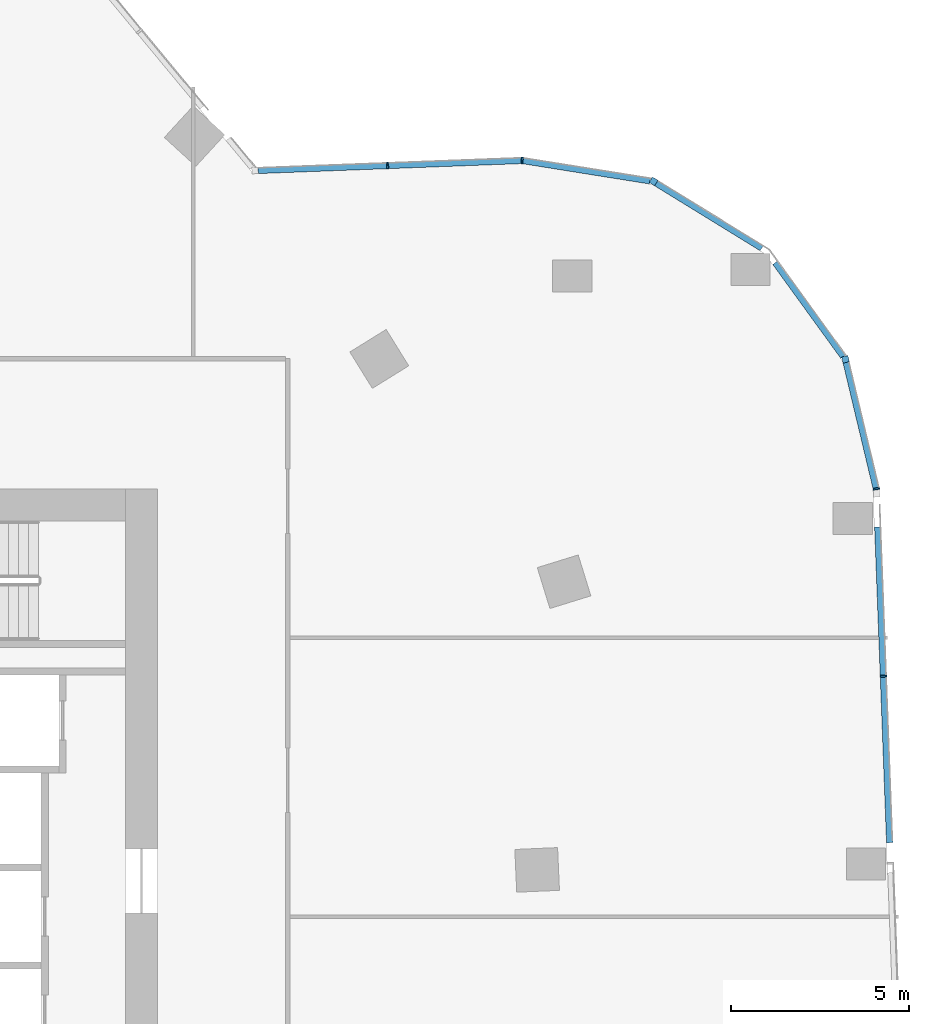
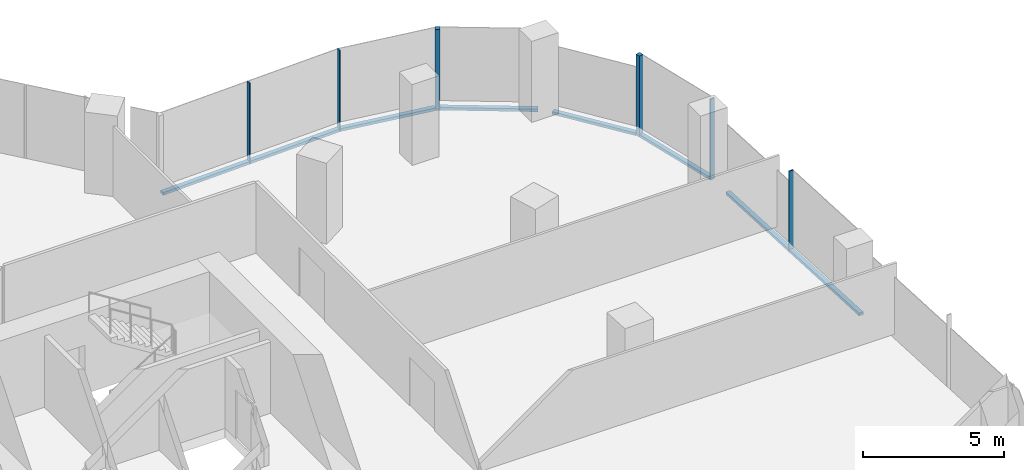
# One storey, part 12 of 23: 12 members, 6 elements without a shape of their own.
"""IFC4 building model written with IfcOpenShell, lengths in metres."""

from ifc_helpers import new_model, si_unit, direction, frame, origin, origin_2d, place, context, subcontext, project, spatial, rectangle, extrude, material, material_profile, profile_set, type_object, element, aggregate, save


model = new_model("IFC4")

# Units and contexts
model_context = context("Model", 3, precision=1e-05, world=origin(), true_north=direction((0.0, 1.0)))
body_context = subcontext(model_context, "Body", "Model", "MODEL_VIEW")
ifc_project = project(units=[si_unit("LENGTHUNIT", "METRE"), si_unit("AREAUNIT", "SQUARE_METRE"), si_unit("VOLUMEUNIT", "CUBIC_METRE"), si_unit("PLANEANGLEUNIT", "RADIAN"), si_unit("MASSUNIT", "GRAM", prefix="KILO")], contexts=[model_context])

# Site, building, storey
site_placement = place(None, origin())
site = spatial("IfcSite", under=ifc_project, at=site_placement, CompositionType="ELEMENT")
building_placement = place(site_placement, origin())
building = spatial("IfcBuilding", under=site, at=building_placement, Name="Orlundy Tower", CompositionType="ELEMENT")
storey_placement = place(building_placement, frame((0.0, 0.0, 181.10009765625)))
storey = spatial("IfcBuildingStorey", under=building, at=storey_placement, Name="L47", CompositionType="ELEMENT", Elevation=181.10009765625)

# Curtain wall, member
ifc_material_1 = material(Name="Aluminium bronze anodised", Category="aluminium")
curtain_wall_type = type_object("IfcCurtainWallType", Name="CW1 wall", PredefinedType="NOTDEFINED", material=ifc_material_1)
curtain_wall_1_placement = place(storey_placement, origin())
curtain_wall_1 = element("IfcCurtainWall", 1, at=curtain_wall_1_placement, inside=storey, type_object=curtain_wall_type, Name="CW1 run 08", PredefinedType="NOTDEFINED")
ifc_material_2 = material(Name="Aluminium bronze anodised", Category="aluminium")
ifc_material_profile_1 = material_profile(ifc_material_2, rectangle(XDim=0.179931640625, YDim=0.179931640625, at=origin_2d()), Name="CW1 corner post 180x180")
ifc_profile_set_1 = profile_set([ifc_material_profile_1], Name="Aluminium bronze anodised")
member_type_1 = type_object("IfcMemberType", Name="CW1 corner post 180x180", PredefinedType="MULLION", material=ifc_profile_set_1)
member_1_placement = place(storey_placement, frame((32.914794921875, 20.62109375, -0.420166015625), z_axis=(0.0, 0.0, 1.0), x_axis=(0.523946886645, 0.85175093776, 0.0)))
member_1 = element("IfcMember", 2, at=member_1_placement, type_object=member_type_1, Name="CW1 mullion 29", PredefinedType="MULLION", context=body_context, shape_type="SweptSolid", body=[
    extrude(rectangle(XDim=0.179931640625, YDim=0.179931640625, at=origin_2d()), origin(), (0.0, 0.0, 1.0), 3.5),
])

curtain_wall_2_placement = place(storey_placement, origin())
curtain_wall_2 = element("IfcCurtainWall", 3, at=curtain_wall_2_placement, inside=storey, type_object=curtain_wall_type, Name="CW1 run 010", PredefinedType="NOTDEFINED")
member_2_placement = place(storey_placement, frame((38.29833984375, 15.62939453125, -0.420166015625), z_axis=(0.0, 0.0, 1.0), x_axis=(0.972704793959, 0.23204608122, 0.0)))
member_2 = element("IfcMember", 4, at=member_2_placement, type_object=member_type_1, Name="CW1 mullion 31", PredefinedType="MULLION", context=body_context, shape_type="SweptSolid", body=[
    extrude(rectangle(XDim=0.179931640625, YDim=0.179931640625, at=origin_2d()), origin(), (0.0, 0.0, 1.0), 3.5),
])

curtain_wall_3_placement = place(storey_placement, origin())
curtain_wall_3 = element("IfcCurtainWall", 5, at=curtain_wall_3_placement, inside=storey, type_object=curtain_wall_type, Name="CW1 run 06", PredefinedType="NOTDEFINED")
ifc_material_3 = material(Name="Aluminium bronze anodised", Category="aluminium")
ifc_material_profile_2 = material_profile(ifc_material_3, rectangle(XDim=0.179931640625, YDim=0.050048828125, at=origin_2d()), Name="CW1 mullion 50x180")
ifc_profile_set_2 = profile_set([ifc_material_profile_2], Name="Aluminium bronze anodised")
member_type_2 = type_object("IfcMemberType", Name="CW1 mullion 50x180", PredefinedType="MULLION", material=ifc_profile_set_2)
member_3_placement = place(storey_placement, frame((25.455078125, 21.0673828125, -0.420166015625), z_axis=(0.0, 0.0, 1.0), x_axis=(-0.037836578056, 0.99928394031, 0.0)))
member_3 = element("IfcMember", 6, at=member_3_placement, type_object=member_type_2, Name="CW1 mullion 27", PredefinedType="MULLION", context=body_context, shape_type="SweptSolid", body=[
    extrude(rectangle(XDim=0.179931640625, YDim=0.050048828125, at=origin_2d()), origin(), (0.0, 0.0, 1.0), 3.5),
])

curtain_wall_4_placement = place(storey_placement, origin())
curtain_wall_4 = element("IfcCurtainWall", 7, at=curtain_wall_4_placement, inside=storey, type_object=curtain_wall_type, Name="CW1 run 07", PredefinedType="NOTDEFINED")
member_4_placement = place(storey_placement, frame((29.2275390625, 21.210205078125, -0.420166015625), z_axis=(0.0, 0.0, 1.0), x_axis=(0.060267073415, 0.998182287892, 0.0)))
member_4 = element("IfcMember", 8, at=member_4_placement, type_object=member_type_2, Name="CW1 mullion 28", PredefinedType="MULLION", context=body_context, shape_type="SweptSolid", body=[
    extrude(rectangle(XDim=0.179931640625, YDim=0.050048828125, at=origin_2d()), origin(), (0.0, 0.0, 1.0), 3.5),
])

# Curtain wall, members
curtain_wall_5_placement = place(storey_placement, origin())
curtain_wall_5 = element("IfcCurtainWall", 9, at=curtain_wall_5_placement, inside=storey, type_object=curtain_wall_type, Name="CW1 run 011", PredefinedType="NOTDEFINED")
member_5_placement = place(storey_placement, frame((39.16455078125, 11.998291015625, -0.420166015625), z_axis=(0.0, 0.0, 1.0), x_axis=(0.990766302188, 0.135580730372, 0.0)))
member_5 = element("IfcMember", 10, at=member_5_placement, type_object=member_type_2, Name="CW1 mullion 32", PredefinedType="MULLION", context=body_context, shape_type="SweptSolid", body=[
    extrude(rectangle(XDim=0.179931640625, YDim=0.050048828125, at=origin_2d()), origin(), (0.0, 0.0, 1.0), 3.5),
])
member_6_placement = place(storey_placement, frame((39.363525390625, 6.7431640625, -0.420166015625), z_axis=(0.0, 0.0, 1.0), x_axis=(0.999284965389, 0.03780949547, 0.0)))
member_6 = element("IfcMember", 11, at=member_6_placement, type_object=member_type_2, Name="CW1 mullion 33", PredefinedType="MULLION", context=body_context, shape_type="SweptSolid", body=[
    extrude(rectangle(XDim=0.179931640625, YDim=0.050048828125, at=origin_2d()), origin(), (0.0, 0.0, 1.0), 3.5),
])

# Member
ifc_material_4 = material(Name="Aluminium bronze anodised", Category="aluminium")
ifc_material_profile_3 = material_profile(ifc_material_4, rectangle(XDim=0.179931640625, YDim=0.1201171875, at=origin_2d()), Name="CW1 transom 180x120")
ifc_profile_set_3 = profile_set([ifc_material_profile_3], Name="Aluminium bronze anodised")
member_type_3 = type_object("IfcMemberType", Name="CW1 transom 180x120", PredefinedType="USERDEFINED", material=ifc_profile_set_3)
member_7_placement = place(storey_placement, frame((21.825927734375, 20.929931640625, -0.360107421875), z_axis=(0.999283957256, 0.037836130506, 0.0), x_axis=(-0.037836130506, 0.999283957256, 0.0)))
member_7 = element("IfcMember", 12, at=member_7_placement, type_object=member_type_3, Name="CW1 transom", ObjectType="TRANSOM", PredefinedType="USERDEFINED", context=body_context, shape_type="SweptSolid", body=[
    extrude(rectangle(XDim=0.179931640625, YDim=0.1201171875, at=origin_2d()), origin(), (0.0, 0.0, 1.0), 7.3818359375),
])

aggregate(curtain_wall_3, [member_3, member_7])

member_8_placement = place(storey_placement, frame((29.252197265625, 21.206298828125, -0.360107421875), z_axis=(0.987475198306, -0.157774309477, 0.0), x_axis=(0.157774309477, 0.987475198306, 0.0)))
member_8 = element("IfcMember", 13, at=member_8_placement, type_object=member_type_3, Name="CW1 transom", ObjectType="TRANSOM", PredefinedType="USERDEFINED", context=body_context, shape_type="SweptSolid", body=[
    extrude(rectangle(XDim=0.179931640625, YDim=0.1201171875, at=origin_2d()), origin(), (0.0, 0.0, 1.0), 3.611572265625),
])

aggregate(curtain_wall_4, [member_4, member_8])

member_9_placement = place(storey_placement, frame((32.991455078125, 20.573974609375, -0.360107421875), z_axis=(0.851737899399, -0.523968081783, 0.0), x_axis=(0.523968081783, 0.851737899399, 0.0)))
member_9 = element("IfcMember", 14, at=member_9_placement, type_object=member_type_3, Name="CW1 transom", ObjectType="TRANSOM", PredefinedType="USERDEFINED", context=body_context, shape_type="SweptSolid", body=[
    extrude(rectangle(XDim=0.179931640625, YDim=0.1201171875, at=origin_2d()), origin(), (0.0, 0.0, 1.0), 3.4755859375),
])

aggregate(curtain_wall_1, [member_1, member_9])

# Curtain wall, member
curtain_wall_6_placement = place(storey_placement, origin())
curtain_wall_6 = element("IfcCurtainWall", 15, at=curtain_wall_6_placement, inside=storey, type_object=curtain_wall_type, Name="CW1 run 09", PredefinedType="NOTDEFINED")
member_10_placement = place(storey_placement, frame((36.33203125, 18.34326171875, -0.360107421875), z_axis=(0.586725338284, -0.809786007174, 0.0), x_axis=(0.809786007174, 0.586725338284, 0.0)))
member_10 = element("IfcMember", 16, at=member_10_placement, type_object=member_type_3, Name="CW1 transom", ObjectType="TRANSOM", PredefinedType="USERDEFINED", context=body_context, shape_type="SweptSolid", body=[
    extrude(rectangle(XDim=0.179931640625, YDim=0.1201171875, at=origin_2d()), origin(), (0.0, 0.0, 1.0), 3.25390625),
])
aggregate(curtain_wall_6, [member_10])

# Member
member_11_placement = place(storey_placement, frame((38.3193359375, 15.541748046875, -0.360107421875), z_axis=(0.232009772326, -0.972713455004, 0.0), x_axis=(0.972713455004, 0.232009772326, 0.0)))
member_11 = element("IfcMember", 17, at=member_11_placement, type_object=member_type_3, Name="CW1 transom", ObjectType="TRANSOM", PredefinedType="USERDEFINED", context=body_context, shape_type="SweptSolid", body=[
    extrude(rectangle(XDim=0.179931640625, YDim=0.1201171875, at=origin_2d()), origin(), (0.0, 0.0, 1.0), 3.61767578125),
])

aggregate(curtain_wall_2, [member_2, member_11])

member_12_placement = place(storey_placement, frame((39.205078125, 10.930419921875, -0.360107421875), z_axis=(0.037809145603, -0.999284978627, 0.0), x_axis=(0.999284978627, 0.037809145603, 0.0)))
member_12 = element("IfcMember", 18, at=member_12_placement, type_object=member_type_3, Name="CW1 transom", ObjectType="TRANSOM", PredefinedType="USERDEFINED", context=body_context, shape_type="SweptSolid", body=[
    extrude(rectangle(XDim=0.179931640625, YDim=0.1201171875, at=origin_2d()), origin(), (0.0, 0.0, 1.0), 8.86572265625),
])

aggregate(curtain_wall_5, [member_5, member_6, member_12])

save(model, "model.ifc")
